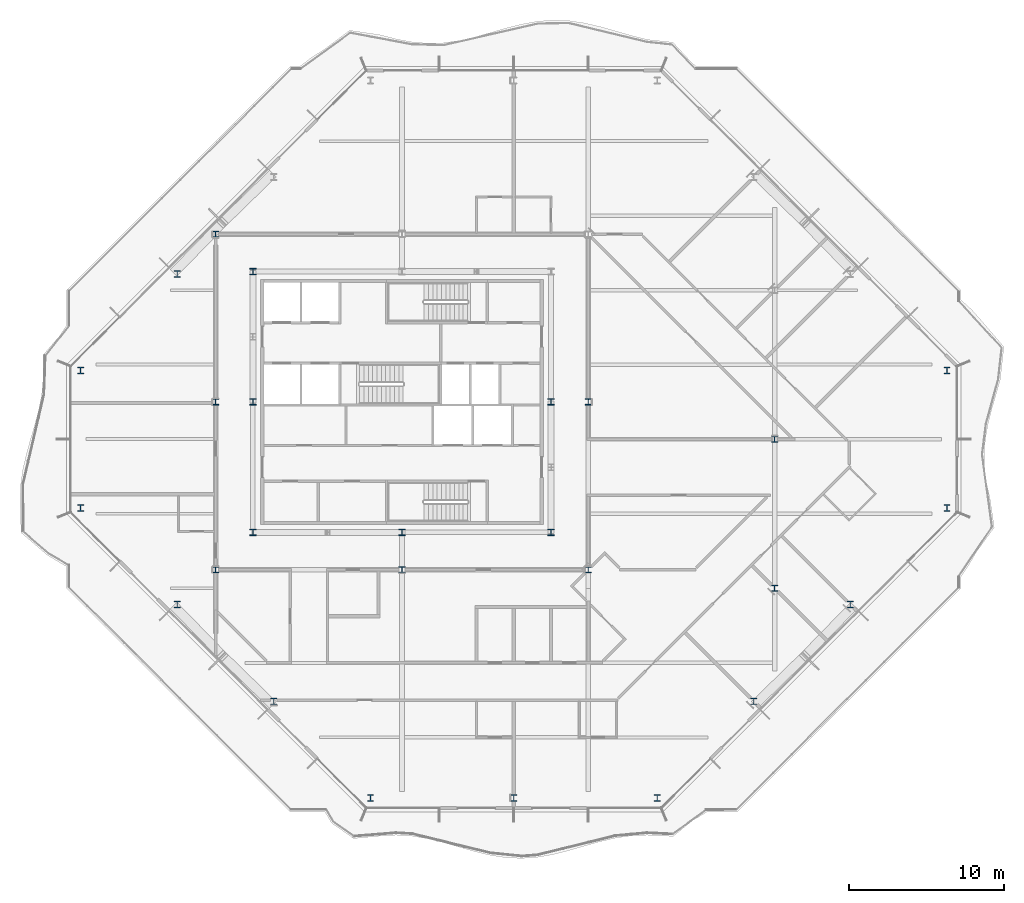
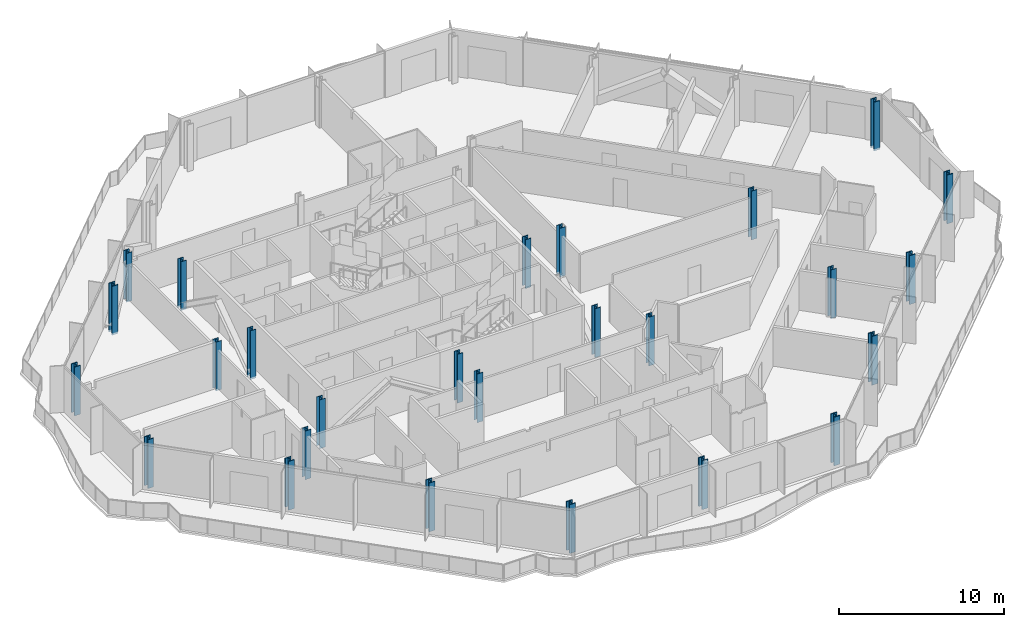
# One storey, part 1 of 17: 26 columns.
"""IFC4 building model written with IfcOpenShell, lengths in metres."""

from ifc_helpers import new_model, si_unit, direction, frame, origin, origin_2d, place, context, subcontext, project, spatial, i_section, extrude, material, material_profile, profile_set, type_object, element, save


model = new_model("IFC4")

# Units and contexts
model_context = context("Model", 3, precision=1e-05, world=origin(), true_north=direction((0.0, 1.0)))
body_context = subcontext(model_context, "Body", "Model", "MODEL_VIEW")
ifc_project = project(units=[si_unit("LENGTHUNIT", "METRE"), si_unit("AREAUNIT", "SQUARE_METRE"), si_unit("VOLUMEUNIT", "CUBIC_METRE"), si_unit("PLANEANGLEUNIT", "RADIAN"), si_unit("MASSUNIT", "GRAM", prefix="KILO")], contexts=[model_context])

# Site, building, storey
site_placement = place(None, origin())
site = spatial("IfcSite", under=ifc_project, at=site_placement, CompositionType="ELEMENT")
building_placement = place(site_placement, origin())
building = spatial("IfcBuilding", under=site, at=building_placement, Name="Cairn Pilgrim Tower", CompositionType="ELEMENT")
storey_placement = place(building_placement, frame((0.0, 0.0, 210.60009765625)))
storey = spatial("IfcBuildingStorey", under=building, at=storey_placement, Name="L53", CompositionType="ELEMENT", Elevation=210.60009765625)

# Columns
ifc_material_1 = material(Name="Structural steel S355J2", Category="steel")
ifc_material_profile_1 = material_profile(ifc_material_1, i_section(OverallWidth=0.39892578125, OverallDepth=0.39306640625, WebThickness=0.022705078125, FlangeThickness=0.03662109375, FilletRadius=0.014892578125, at=origin_2d()), Name="HD 400x287")
ifc_profile_set_1 = profile_set([ifc_material_profile_1], Name="Structural steel S355J2")
column_type_1 = type_object("IfcColumnType", Name="HD 400x287", PredefinedType="COLUMN", material=ifc_profile_set_1)
for number, where, z_axis, x_axis, name in (
    (1, (-4.800048828125, -8.39990234375, -0.150146484375), (0.0, 0.0, 1.0), (1.0, 0.0, 0.0), "IC-1"),
    (2, (7.199951171875, -8.39990234375, -0.150146484375), (0.0, 0.0, 1.0), (1.0, 0.0, 0.0), "IC-2"),
    (3, (19.199951171875, -8.39990234375, -0.150146484375), (0.0, 0.0, 1.0), (1.0, 0.0, 0.0), "IC-3"),
    (4, (-4.800048828125, 2.39990234375, -0.150146484375), (0.0, 0.0, 1.0), (1.0, 0.0, 0.0), "IC-4"),
    (5, (19.199951171875, 2.39990234375, -0.150146484375), (0.0, 0.0, 1.0), (1.0, 0.0, 0.0), "IC-5"),
    (6, (-4.800048828125, 13.199951171875, -0.150146484375), (0.0, 0.0, 1.0), (1.0, 0.0, 0.0), "IC-6"),
    (7, (31.199951171875, -9.60009765625, -0.150146484375), (0.0, 0.0, 1.0), (1.0, 0.0, 0.0), "WC-WE-2"),
    (8, (31.199951171875, 0.0, -0.150146484375), (0.0, 0.0, 1.0), (1.0, 0.0, 0.0), "WC-WE+0"),
):
    element("IfcColumn", number, at=place(storey_placement, frame(where, z_axis=z_axis, x_axis=x_axis)), inside=storey, type_object=column_type_1, Name=name, PredefinedType="COLUMN", context=body_context, shape_type="SweptSolid", body=[
        extrude(i_section(OverallWidth=0.39892578125, OverallDepth=0.39306640625, WebThickness=0.022705078125, FlangeThickness=0.03662109375, FilletRadius=0.014892578125, at=origin_2d()), origin(), (0.0, 0.0, 1.0), 3.60009765625),
    ])
ifc_material_2 = material(Name="Structural steel S460M", Category="steel")
ifc_material_profile_2 = material_profile(ifc_material_2, i_section(OverallWidth=0.404052734375, OverallDepth=0.406982421875, WebThickness=0.027099609375, FlangeThickness=0.043701171875, FilletRadius=0.014892578125, at=origin_2d()), Name="HD 400x347")
ifc_profile_set_2 = profile_set([ifc_material_profile_2], Name="Structural steel S460M")
column_type_2 = type_object("IfcColumnType", Name="HD 400x347", PredefinedType="COLUMN", material=ifc_profile_set_2)
for number, where, z_axis, x_axis, name in (
    (9, (-2.39990234375, -6.0, -0.150146484375), (0.0, 0.0, 1.0), (1.0, 0.0, 0.0), "KC-1"),
    (10, (7.199951171875, -6.0, -0.150146484375), (0.0, 0.0, 1.0), (1.0, 0.0, 0.0), "KC-2"),
    (11, (16.800048828125, -6.0, -0.150146484375), (0.0, 0.0, 1.0), (1.0, 0.0, 0.0), "KC-3"),
    (12, (-2.39990234375, 2.39990234375, -0.150146484375), (0.0, 0.0, 1.0), (1.0, 0.0, 0.0), "KC-4"),
    (13, (16.800048828125, 2.39990234375, -0.150146484375), (0.0, 0.0, 1.0), (1.0, 0.0, 0.0), "KC-5"),
    (14, (-2.39990234375, 10.800048828125, -0.150146484375), (0.0, 0.0, 1.0), (1.0, 0.0, 0.0), "KC-6"),
):
    element("IfcColumn", number, at=place(storey_placement, frame(where, z_axis=z_axis, x_axis=x_axis)), inside=storey, type_object=column_type_2, Name=name, PredefinedType="COLUMN", context=body_context, shape_type="SweptSolid", body=[
        extrude(i_section(OverallWidth=0.404052734375, OverallDepth=0.406982421875, WebThickness=0.027099609375, FlangeThickness=0.043701171875, FilletRadius=0.014892578125, at=origin_2d()), origin(), (0.0, 0.0, 1.0), 3.60009765625),
    ])
ifc_material_profile_3 = material_profile(ifc_material_2, i_section(OverallWidth=0.416015625, OverallDepth=0.446044921875, WebThickness=0.0390625, FlangeThickness=0.062744140625, FilletRadius=0.014892578125, at=origin_2d()), Name="HD 400x509")
ifc_profile_set_3 = profile_set([ifc_material_profile_3], Name="Structural steel S460M")
column_type_3 = type_object("IfcColumnType", Name="HD 400x509", PredefinedType="COLUMN", material=ifc_profile_set_3)
for number, where, z_axis, x_axis, name in (
    (15, (5.1728515625, -23.10009765625, -0.150146484375), (0.0, 0.0, 1.0), (1.0, 0.0, 0.0), "PC3-S1"),
    (16, (14.39990234375, -23.10009765625, -0.150146484375), (0.0, 0.0, 1.0), (1.0, 0.0, 0.0), "PC3-S2"),
    (17, (23.627197265625, -23.10009765625, -0.150146484375), (0.0, 0.0, 1.0), (1.0, 0.0, 0.0), "PC3-SE1"),
    (18, (29.8515625, -16.875732421875, -0.150146484375), (0.0, 0.0, 1.0), (1.0, 0.0, 0.0), "PC3-SE2"),
    (19, (36.07568359375, -10.651611328125, -0.150146484375), (0.0, 0.0, 1.0), (1.0, 0.0, 0.0), "PC3-SE3"),
    (20, (42.300048828125, -4.42724609375, -0.150146484375), (0.0, 0.0, 1.0), (1.0, 0.0, 0.0), "PC3-E1"),
    (21, (42.300048828125, 4.42724609375, -0.150146484375), (0.0, 0.0, 1.0), (1.0, 0.0, 0.0), "PC3-NE1"),
    (22, (-7.275634765625, 10.651611328125, -0.150146484375), (0.0, 0.0, 1.0), (1.0, 0.0, 0.0), "PC3-NW3"),
    (23, (-13.5, 4.42724609375, -0.150146484375), (0.0, 0.0, 1.0), (1.0, 0.0, 0.0), "PC3-W1"),
    (24, (-13.5, -4.42724609375, -0.150146484375), (0.0, 0.0, 1.0), (1.0, 0.0, 0.0), "PC3-SW1"),
    (25, (-7.275634765625, -10.651611328125, -0.150146484375), (0.0, 0.0, 1.0), (1.0, 0.0, 0.0), "PC3-SW2"),
    (26, (-1.051513671875, -16.875732421875, -0.150146484375), (0.0, 0.0, 1.0), (1.0, 0.0, 0.0), "PC3-SW3"),
):
    element("IfcColumn", number, at=place(storey_placement, frame(where, z_axis=z_axis, x_axis=x_axis)), inside=storey, type_object=column_type_3, Name=name, PredefinedType="COLUMN", context=body_context, shape_type="SweptSolid", body=[
        extrude(i_section(OverallWidth=0.416015625, OverallDepth=0.446044921875, WebThickness=0.0390625, FlangeThickness=0.062744140625, FilletRadius=0.014892578125, at=origin_2d()), origin(), (0.0, 0.0, 1.0), 3.60009765625),
    ])

save(model, "model.ifc")
